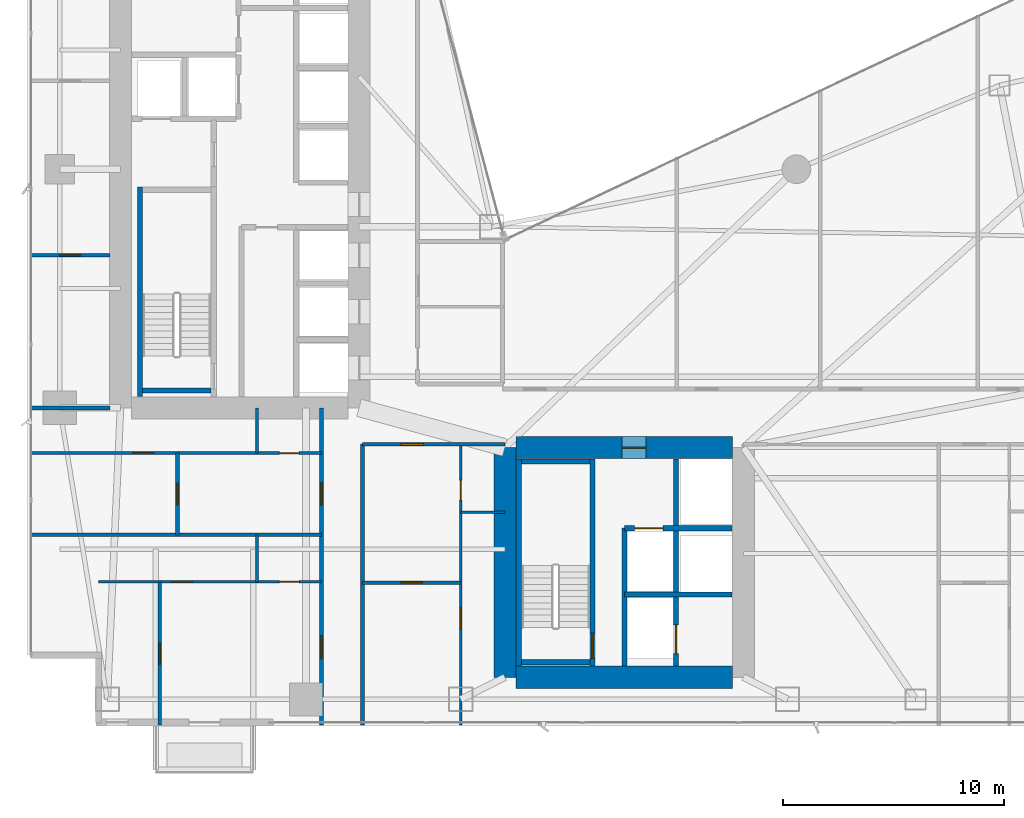
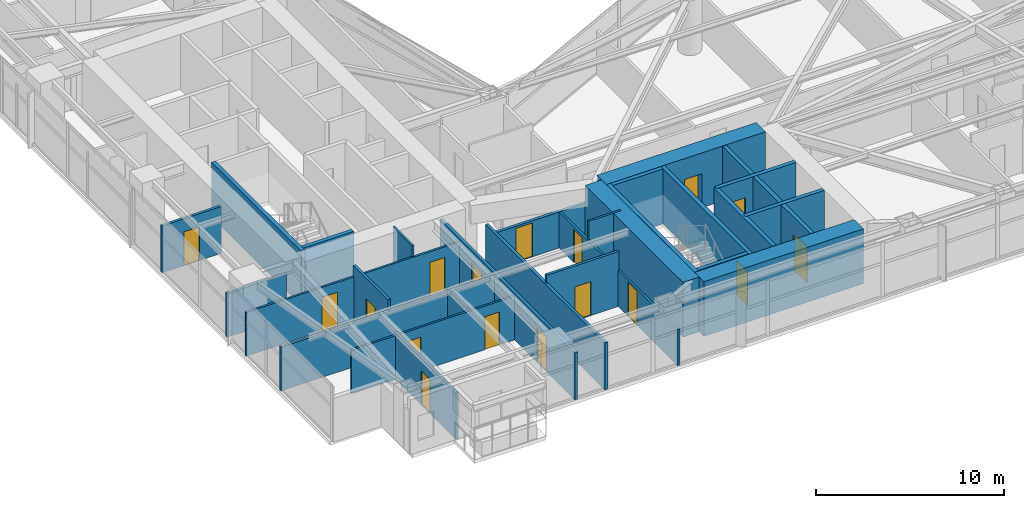
# One storey, part 22 of 29: 28 walls, 17 doors, 17 openings.
"""IFC4 building model written with IfcOpenShell, lengths in metres."""

from ifc_helpers import new_model, si_unit, direction, frame, frame_2d, origin, place, context, subcontext, project, spatial, rectangle, extrude, material, layer, layer_set, type_object, element, fill, save


model = new_model("IFC4")

# Units and contexts
model_context = context("Model", 3, precision=1e-05, world=origin(), true_north=direction((0.0, 1.0)))
body_context = subcontext(model_context, "Body", "Model", "MODEL_VIEW")
ifc_project = project(units=[si_unit("LENGTHUNIT", "METRE"), si_unit("AREAUNIT", "SQUARE_METRE"), si_unit("VOLUMEUNIT", "CUBIC_METRE"), si_unit("PLANEANGLEUNIT", "RADIAN"), si_unit("MASSUNIT", "GRAM", prefix="KILO")], contexts=[model_context])

# Site, building, storey
site_placement = place(None, origin())
site = spatial("IfcSite", under=ifc_project, at=site_placement, CompositionType="ELEMENT")
building_placement = place(site_placement, origin())
building = spatial("IfcBuilding", under=site, at=building_placement, Name="Calvorn Quay Hotel", CompositionType="ELEMENT")
storey_placement = place(building_placement, frame((0.0, 0.0, 81.199951171875)))
storey = spatial("IfcBuildingStorey", under=building, at=storey_placement, Name="L19", CompositionType="ELEMENT", Elevation=81.199951171875)

# Wall
ifc_material_1 = material(Name="Concrete C60", Category="concrete")
ifc_layer_1 = layer(ifc_material_1, 1.0)
ifc_layer_set_1 = layer_set([ifc_layer_1], Name="WL-CORE-1000")
wall_type_1 = type_object("IfcWallType", Name="WL-CORE-1000", PredefinedType="SHEAR", material=ifc_layer_set_1)
wall_1_placement = place(storey_placement, frame((21.60009765625, 4.60009765625, 0.0), z_axis=(0.0, 0.0, 1.0), x_axis=(0.0, 1.0, 0.0)))
element("IfcWall", 1, at=wall_1_placement, inside=storey, type_object=wall_type_1, Name="East Core Shear Wall W (L19)", PredefinedType="SHEAR", context=body_context, shape_type="SweptSolid", body=[
    extrude(rectangle(XDim=10.39990234375, YDim=1.0, at=frame_2d((5.199951171875, 0.0))), origin(), (0.0, 0.0, 1.0), 3.56005859375),
])

# Wall, opening, door
wall_2_placement = place(storey_placement, frame((22.10009765625, 15.0, 0.0), z_axis=(0.0, 0.0, 1.0), x_axis=(1.0, 0.0, 0.0)))
wall_2 = element("IfcWall", 2, at=wall_2_placement, inside=storey, type_object=wall_type_1, Name="East Core Shear Wall N (L19)", PredefinedType="SHEAR", context=body_context, shape_type="SweptSolid", body=[
    extrude(rectangle(XDim=9.7998046875, YDim=1.0, at=frame_2d((4.89990234375, 0.0))), origin(), (0.0, 0.0, 1.0), 3.56005859375),
])
opening_1_placement = place(wall_2_placement, frame((4.800048828125, 0.0, 0.0)))
opening_1 = element("IfcOpeningElement", 3, at=opening_1_placement, cuts=wall_2, Name="Opening D-L19-FLE", PredefinedType="OPENING", context=body_context, shape_type="SweptSolid", body=[
    extrude(rectangle(XDim=1.10009765625, YDim=2.199951171875, at=frame_2d((0.550048828125, 1.10009765625))), frame((0.0, 0.510009765625, 0.0), z_axis=(0.0, -1.0, 0.0), x_axis=(1.0, 0.0, 0.0)), (0.0, 0.0, 1.0), 1.02001953125),
])
ifc_material_2 = material(Name="Smoke-Sealed Steel Class A Fire Door", Category="steel")
door_type_1 = type_object("IfcDoorType", Name="DR-FFLOBBY-1100", OperationType="NOTDEFINED", PredefinedType="DOOR", material=ifc_material_2)
door_1_placement = place(opening_1_placement, origin())
door_1 = element("IfcDoor", 4, at=door_1_placement, inside=storey, type_object=door_type_1, Name="East Firefighting Lobby Fire Door (L19)", OperationType="SINGLE_SWING_LEFT", OverallHeight=2.199951171875, OverallWidth=1.10009765625, PredefinedType="DOOR", context=body_context, shape_type="SweptSolid", body=[
    extrude(rectangle(XDim=1.10009765625, YDim=2.199951171875, at=frame_2d((0.550048828125, 1.10009765625))), frame((0.0, 0.02490234375, 0.0), z_axis=(0.0, -1.0, 0.0), x_axis=(1.0, 0.0, 0.0)), (0.0, 0.0, 1.0), 0.050048828125),
])
fill(opening_1, door_1)

# Walls
wall_3_placement = place(storey_placement, frame((22.10009765625, 4.60009765625, 0.0), z_axis=(0.0, 0.0, 1.0), x_axis=(1.0, 0.0, 0.0)))
element("IfcWall", 5, at=wall_3_placement, inside=storey, type_object=wall_type_1, Name="East Core Shear Wall S (L19)", PredefinedType="SHEAR", context=body_context, shape_type="SweptSolid", body=[
    extrude(rectangle(XDim=9.7998046875, YDim=1.0, at=frame_2d((4.89990234375, 0.0))), origin(), (0.0, 0.0, 1.0), 3.56005859375),
])
ifc_material_3 = material(Name="Acoustic Fireboard Steel-Stud Partition", Category="steel")
ifc_layer_2 = layer(ifc_material_3, 0.179931640625)
ifc_layer_set_2 = layer_set([ifc_layer_2], Name="WL-CORR-FIRE-180")
wall_type_2 = type_object("IfcWallType", Name="WL-CORR-FIRE-180", PredefinedType="PARTITIONING", material=ifc_layer_set_2)
wall_4_placement = place(storey_placement, frame((0.080078125, 16.800048828125, 0.0), z_axis=(0.0, 0.0, 1.0), x_axis=(1.0, 0.0, 0.0)))
element("IfcWall", 6, at=wall_4_placement, inside=storey, type_object=wall_type_2, Name="Partition Wall L19-WL-WBAY-S-WALL", PredefinedType="PARTITIONING", context=body_context, shape_type="SweptSolid", body=[
    extrude(rectangle(XDim=3.64990234375, YDim=0.179931640625, at=frame_2d((1.824951171875, 0.0))), origin(), (0.0, 0.0, 1.0), 2.840087890625),
])

# Wall, openings, doors
wall_5_placement = place(storey_placement, frame((13.300048828125, 2.43994140625, 0.0), z_axis=(0.0, 0.0, 1.0), x_axis=(0.0, 1.0, 0.0)))
wall_5 = element("IfcWall", 7, at=wall_5_placement, inside=storey, type_object=wall_type_2, Name="Partition Wall L19-WL-CORR-SW-LEG-W", PredefinedType="PARTITIONING", context=body_context, shape_type="SweptSolid", body=[
    extrude(rectangle(XDim=14.360107421875, YDim=0.179931640625, at=frame_2d((7.18017578125, 0.0))), origin(), (0.0, 0.0, 1.0), 3.0400390625),
])
opening_2_placement = place(wall_5_placement, frame((3.010009765625, 0.0, 0.0)))
opening_2 = element("IfcOpeningElement", 8, at=opening_2_placement, cuts=wall_5, Name="Opening D-L19-U01", PredefinedType="OPENING", context=body_context, shape_type="SweptSolid", body=[
    extrude(rectangle(XDim=1.02001953125, YDim=2.199951171875, at=frame_2d((0.510009765625, 1.10009765625))), frame((0.0, 0.099853515625, 0.0), z_axis=(0.0, -1.0, 0.0), x_axis=(1.0, 0.0, 0.0)), (0.0, 0.0, 1.0), 0.199951171875),
])
opening_3_placement = place(wall_5_placement, frame((9.949951171875, 0.0, 0.0)))
opening_3 = element("IfcOpeningElement", 9, at=opening_3_placement, cuts=wall_5, Name="Opening D-L19-U02", PredefinedType="OPENING", context=body_context, shape_type="SweptSolid", body=[
    extrude(rectangle(XDim=1.02001953125, YDim=2.199951171875, at=frame_2d((0.510009765625, 1.10009765625))), frame((0.0, 0.099853515625, 0.0), z_axis=(0.0, -1.0, 0.0), x_axis=(1.0, 0.0, 0.0)), (0.0, 0.0, 1.0), 0.199951171875),
])
ifc_material_4 = material(Name="Solid-Core Walnut Veneer Hotel Fire Door")
door_type_2 = type_object("IfcDoorType", Name="DR-GUEST-ENTRY-1020", OperationType="NOTDEFINED", PredefinedType="DOOR", material=ifc_material_4)
door_2_placement = place(opening_2_placement, origin())
door_2 = element("IfcDoor", 10, at=door_2_placement, inside=storey, type_object=door_type_2, Name="South-West Unit Door U01 (L19)", OperationType="SINGLE_SWING_LEFT", OverallHeight=2.199951171875, OverallWidth=1.02001953125, PredefinedType="DOOR", context=body_context, shape_type="SweptSolid", body=[
    extrude(rectangle(XDim=1.02001953125, YDim=2.199951171875, at=frame_2d((0.510009765625, 1.10009765625))), frame((0.0, 0.02490234375, 0.0), z_axis=(0.0, -1.0, 0.0), x_axis=(1.0, 0.0, 0.0)), (0.0, 0.0, 1.0), 0.050048828125),
])
fill(opening_2, door_2)
door_3_placement = place(opening_3_placement, origin())
door_3 = element("IfcDoor", 11, at=door_3_placement, inside=storey, type_object=door_type_2, Name="South-West Unit Door U02 (L19)", OperationType="SINGLE_SWING_RIGHT", OverallHeight=2.199951171875, OverallWidth=1.02001953125, PredefinedType="DOOR", context=body_context, shape_type="SweptSolid", body=[
    extrude(rectangle(XDim=1.02001953125, YDim=2.199951171875, at=frame_2d((0.510009765625, 1.10009765625))), frame((0.0, 0.02490234375, 0.0), z_axis=(0.0, -1.0, 0.0), x_axis=(1.0, 0.0, 0.0)), (0.0, 0.0, 1.0), 0.050048828125),
])
fill(opening_3, door_3)

# Wall
wall_6_placement = place(storey_placement, frame((15.14990234375, 2.43994140625, 0.0), z_axis=(0.0, 0.0, 1.0), x_axis=(0.0, 1.0, 0.0)))
element("IfcWall", 12, at=wall_6_placement, inside=storey, type_object=wall_type_2, Name="Partition Wall L19-WL-CORR-SW-W", PredefinedType="PARTITIONING", context=body_context, shape_type="SweptSolid", body=[
    extrude(rectangle(XDim=12.7099609375, YDim=0.179931640625, at=frame_2d((6.35498046875, 0.0))), origin(), (0.0, 0.0, 1.0), 3.0400390625),
])

# Wall, opening, door
wall_7_placement = place(storey_placement, frame((15.14990234375, 15.14990234375, 0.0), z_axis=(0.0, 0.0, 1.0), x_axis=(1.0, 0.0, 0.0)))
wall_7 = element("IfcWall", 13, at=wall_7_placement, inside=storey, type_object=wall_type_2, Name="Partition Wall L19-WL-SC-CORR-S", PredefinedType="PARTITIONING", context=body_context, shape_type="SweptSolid", body=[
    extrude(rectangle(XDim=6.4501953125, YDim=0.179931640625, at=frame_2d((3.22509765625, 0.0))), origin(), (0.0, 0.0, 1.0), 2.340087890625),
])
opening_4_placement = place(wall_7_placement, frame((1.739990234375, 0.0, 0.0)))
opening_4 = element("IfcOpeningElement", 14, at=opening_4_placement, cuts=wall_7, Name="Opening D-L19-U03", PredefinedType="OPENING", context=body_context, shape_type="SweptSolid", body=[
    extrude(rectangle(XDim=1.02001953125, YDim=2.199951171875, at=frame_2d((0.510009765625, 1.10009765625))), frame((0.0, 0.099853515625, 0.0), z_axis=(0.0, -1.0, 0.0), x_axis=(1.0, 0.0, 0.0)), (0.0, 0.0, 1.0), 0.199951171875),
])
door_4_placement = place(opening_4_placement, origin())
door_4 = element("IfcDoor", 15, at=door_4_placement, inside=storey, type_object=door_type_2, Name="Harbour Central Unit Door (L19)", OperationType="SINGLE_SWING_LEFT", OverallHeight=2.199951171875, OverallWidth=1.02001953125, PredefinedType="DOOR", context=body_context, shape_type="SweptSolid", body=[
    extrude(rectangle(XDim=1.02001953125, YDim=2.199951171875, at=frame_2d((0.510009765625, 1.10009765625))), frame((0.0, 0.02490234375, 0.0), z_axis=(0.0, -1.0, 0.0), x_axis=(1.0, 0.0, 0.0)), (0.0, 0.0, 1.0), 0.050048828125),
])
fill(opening_4, door_4)

# Wall
ifc_material_5 = material(Name="Moisture-Resistant Tile-Backed Partition")
ifc_layer_3 = layer(ifc_material_5, 0.125)
ifc_layer_set_3 = layer_set([ifc_layer_3], Name="WL-ENSUITE-125")
wall_type_3 = type_object("IfcWallType", Name="WL-ENSUITE-125", PredefinedType="PARTITIONING", material=ifc_layer_set_3)
wall_8_placement = place(storey_placement, frame((10.3798828125, 8.919921875, 0.0), z_axis=(0.0, 0.0, 1.0), x_axis=(0.0, 1.0, 0.0)))
element("IfcWall", 16, at=wall_8_placement, inside=storey, type_object=wall_type_3, Name="Partition Wall L19-WL-U01-BDV", PredefinedType="PARTITIONING", context=body_context, shape_type="SweptSolid", body=[
    extrude(rectangle(XDim=2.130126953125, YDim=0.125, at=frame_2d((1.06494140625, 0.0))), origin(), (0.0, 0.0, 1.0), 3.090087890625),
])

# Wall, openings, doors
wall_9_placement = place(storey_placement, frame((3.199951171875, 8.919921875, 0.0), z_axis=(0.0, 0.0, 1.0), x_axis=(1.0, 0.0, 0.0)))
wall_9 = element("IfcWall", 17, at=wall_9_placement, inside=storey, type_object=wall_type_3, Name="Partition Wall L19-WL-U01-BH", PredefinedType="PARTITIONING", context=body_context, shape_type="SweptSolid", body=[
    extrude(rectangle(XDim=10.10009765625, YDim=0.125, at=frame_2d((5.050048828125, 0.0))), origin(), (0.0, 0.0, 1.0), 2.840087890625),
])
opening_5_placement = place(wall_9_placement, frame((3.2900390625, 0.0, 0.0)))
opening_5 = element("IfcOpeningElement", 18, at=opening_5_placement, cuts=wall_9, Name="Opening D-L19-S01", PredefinedType="OPENING", context=body_context, shape_type="SweptSolid", body=[
    extrude(rectangle(XDim=0.9599609375, YDim=2.199951171875, at=frame_2d((0.47998046875, 1.10009765625))), frame((0.0, 0.072509765625, 0.0), z_axis=(0.0, -1.0, 0.0), x_axis=(1.0, 0.0, 0.0)), (0.0, 0.0, 1.0), 0.14501953125),
])
opening_6_placement = place(wall_9_placement, frame((8.18994140625, 0.0, 0.0)))
opening_6 = element("IfcOpeningElement", 19, at=opening_6_placement, cuts=wall_9, Name="Opening D-L19-E01", PredefinedType="OPENING", context=body_context, shape_type="SweptSolid", body=[
    extrude(rectangle(XDim=0.89990234375, YDim=2.14990234375, at=frame_2d((0.449951171875, 1.074951171875))), frame((0.0, 0.072509765625, 0.0), z_axis=(0.0, -1.0, 0.0), x_axis=(1.0, 0.0, 0.0)), (0.0, 0.0, 1.0), 0.14501953125),
])
ifc_material_6 = material(Name="Moisture-Sealed Timber En-Suite Door", Category="wood")
door_type_3 = type_object("IfcDoorType", Name="DR-ENSUITE-900", OperationType="NOTDEFINED", PredefinedType="DOOR", material=ifc_material_6)
door_5_placement = place(opening_6_placement, origin())
door_5 = element("IfcDoor", 20, at=door_5_placement, inside=storey, type_object=door_type_3, Name="En-Suite Door 01", OperationType="SINGLE_SWING_RIGHT", OverallHeight=2.14990234375, OverallWidth=0.89990234375, PredefinedType="DOOR", context=body_context, shape_type="SweptSolid", body=[
    extrude(rectangle(XDim=0.89990234375, YDim=2.14990234375, at=frame_2d((0.449951171875, 1.074951171875))), frame((0.0, 0.02490234375, 0.0), z_axis=(0.0, -1.0, 0.0), x_axis=(1.0, 0.0, 0.0)), (0.0, 0.0, 1.0), 0.050048828125),
])
fill(opening_6, door_5)
ifc_material_7 = material(Name="Solid Timber Internal Suite Door", Category="wood")
door_type_4 = type_object("IfcDoorType", Name="DR-SUITE-INT-960", OperationType="NOTDEFINED", PredefinedType="DOOR", material=ifc_material_7)
door_6_placement = place(opening_5_placement, origin())
door_6 = element("IfcDoor", 21, at=door_6_placement, inside=storey, type_object=door_type_4, Name="Private Media Cinema Door 01", OperationType="SINGLE_SWING_LEFT", OverallHeight=2.199951171875, OverallWidth=0.9599609375, PredefinedType="DOOR", context=body_context, shape_type="SweptSolid", body=[
    extrude(rectangle(XDim=0.9599609375, YDim=2.199951171875, at=frame_2d((0.47998046875, 1.10009765625))), frame((0.0, 0.02490234375, 0.0), z_axis=(0.0, -1.0, 0.0), x_axis=(1.0, 0.0, 0.0)), (0.0, 0.0, 1.0), 0.050048828125),
])
fill(opening_5, door_6)

# Wall
wall_10_placement = place(storey_placement, frame((10.3798828125, 14.75, 0.0), z_axis=(0.0, 0.0, 1.0), x_axis=(0.0, 1.0, 0.0)))
element("IfcWall", 22, at=wall_10_placement, inside=storey, type_object=wall_type_3, Name="Partition Wall L19-WL-U02-BDV", PredefinedType="PARTITIONING", context=body_context, shape_type="SweptSolid", body=[
    extrude(rectangle(XDim=2.050048828125, YDim=0.125, at=frame_2d((1.02490234375, 0.0))), origin(), (0.0, 0.0, 1.0), 3.56005859375),
])

# Wall, openings, doors
wall_11_placement = place(storey_placement, frame((0.080078125, 14.75, 0.0), z_axis=(0.0, 0.0, 1.0), x_axis=(1.0, 0.0, 0.0)))
wall_11 = element("IfcWall", 23, at=wall_11_placement, inside=storey, type_object=wall_type_3, Name="Partition Wall L19-WL-U02-BH", PredefinedType="PARTITIONING", context=body_context, shape_type="SweptSolid", body=[
    extrude(rectangle(XDim=13.219970703125, YDim=0.125, at=frame_2d((6.60986328125, 0.0))), origin(), (0.0, 0.0, 1.0), 2.840087890625),
])
opening_7_placement = place(wall_11_placement, frame((4.669921875, 0.0, 0.0)))
opening_7 = element("IfcOpeningElement", 24, at=opening_7_placement, cuts=wall_11, Name="Opening D-L19-S02", PredefinedType="OPENING", context=body_context, shape_type="SweptSolid", body=[
    extrude(rectangle(XDim=0.9599609375, YDim=2.199951171875, at=frame_2d((0.47998046875, 1.10009765625))), frame((0.0, 0.072509765625, 0.0), z_axis=(0.0, -1.0, 0.0), x_axis=(1.0, 0.0, 0.0)), (0.0, 0.0, 1.0), 0.14501953125),
])
opening_8_placement = place(wall_11_placement, frame((11.31005859375, 0.0, 0.0)))
opening_8 = element("IfcOpeningElement", 25, at=opening_8_placement, cuts=wall_11, Name="Opening D-L19-E02", PredefinedType="OPENING", context=body_context, shape_type="SweptSolid", body=[
    extrude(rectangle(XDim=0.89990234375, YDim=2.14990234375, at=frame_2d((0.449951171875, 1.074951171875))), frame((0.0, 0.072509765625, 0.0), z_axis=(0.0, -1.0, 0.0), x_axis=(1.0, 0.0, 0.0)), (0.0, 0.0, 1.0), 0.14501953125),
])
door_7_placement = place(opening_8_placement, origin())
door_7 = element("IfcDoor", 26, at=door_7_placement, inside=storey, type_object=door_type_3, Name="En-Suite Door 02", OperationType="SINGLE_SWING_RIGHT", OverallHeight=2.14990234375, OverallWidth=0.89990234375, PredefinedType="DOOR", context=body_context, shape_type="SweptSolid", body=[
    extrude(rectangle(XDim=0.89990234375, YDim=2.14990234375, at=frame_2d((0.449951171875, 1.074951171875))), frame((0.0, 0.02490234375, 0.0), z_axis=(0.0, -1.0, 0.0), x_axis=(1.0, 0.0, 0.0)), (0.0, 0.0, 1.0), 0.050048828125),
])
fill(opening_8, door_7)
door_8_placement = place(opening_7_placement, origin())
door_8 = element("IfcDoor", 27, at=door_8_placement, inside=storey, type_object=door_type_4, Name="Private Media Cinema Door 02", OperationType="SINGLE_SWING_LEFT", OverallHeight=2.199951171875, OverallWidth=0.9599609375, PredefinedType="DOOR", context=body_context, shape_type="SweptSolid", body=[
    extrude(rectangle(XDim=0.9599609375, YDim=2.199951171875, at=frame_2d((0.47998046875, 1.10009765625))), frame((0.0, 0.02490234375, 0.0), z_axis=(0.0, -1.0, 0.0), x_axis=(1.0, 0.0, 0.0)), (0.0, 0.0, 1.0), 0.050048828125),
])
fill(opening_7, door_8)

# Wall
wall_12_placement = place(storey_placement, frame((19.60009765625, 12.070068359375, 0.0), z_axis=(0.0, 0.0, 1.0), x_axis=(1.0, 0.0, 0.0)))
element("IfcWall", 28, at=wall_12_placement, inside=storey, type_object=wall_type_3, Name="Partition Wall L19-WL-U03-BDV", PredefinedType="PARTITIONING", context=body_context, shape_type="SweptSolid", body=[
    extrude(rectangle(XDim=2.0, YDim=0.125, at=frame_2d((1.0, 0.0))), origin(), (0.0, 0.0, 1.0), 3.56005859375),
])

# Wall, openings, doors
wall_13_placement = place(storey_placement, frame((19.60009765625, 2.43994140625, 0.0), z_axis=(0.0, 0.0, 1.0), x_axis=(0.0, 1.0, 0.0)))
wall_13 = element("IfcWall", 29, at=wall_13_placement, inside=storey, type_object=wall_type_3, Name="Partition Wall L19-WL-U03-BV", PredefinedType="PARTITIONING", context=body_context, shape_type="SweptSolid", body=[
    extrude(rectangle(XDim=12.7099609375, YDim=0.125, at=frame_2d((6.35498046875, 0.0))), origin(), (0.0, 0.0, 1.0), 2.340087890625),
])
opening_9_placement = place(wall_13_placement, frame((4.340087890625, 0.0, 0.0)))
opening_9 = element("IfcOpeningElement", 30, at=opening_9_placement, cuts=wall_13, Name="Opening D-L19-S03", PredefinedType="OPENING", context=body_context, shape_type="SweptSolid", body=[
    extrude(rectangle(XDim=0.9599609375, YDim=2.199951171875, at=frame_2d((0.47998046875, 1.10009765625))), frame((0.0, 0.072509765625, 0.0), z_axis=(0.0, -1.0, 0.0), x_axis=(1.0, 0.0, 0.0)), (0.0, 0.0, 1.0), 0.14501953125),
])
opening_10_placement = place(wall_13_placement, frame((10.179931640625, 0.0, 0.0)))
opening_10 = element("IfcOpeningElement", 31, at=opening_10_placement, cuts=wall_13, Name="Opening D-L19-E03", PredefinedType="OPENING", context=body_context, shape_type="SweptSolid", body=[
    extrude(rectangle(XDim=0.89990234375, YDim=2.14990234375, at=frame_2d((0.449951171875, 1.074951171875))), frame((0.0, 0.072509765625, 0.0), z_axis=(0.0, -1.0, 0.0), x_axis=(1.0, 0.0, 0.0)), (0.0, 0.0, 1.0), 0.14501953125),
])
door_9_placement = place(opening_10_placement, origin())
door_9 = element("IfcDoor", 32, at=door_9_placement, inside=storey, type_object=door_type_3, Name="En-Suite Door 03", OperationType="SINGLE_SWING_RIGHT", OverallHeight=2.14990234375, OverallWidth=0.89990234375, PredefinedType="DOOR", context=body_context, shape_type="SweptSolid", body=[
    extrude(rectangle(XDim=0.89990234375, YDim=2.14990234375, at=frame_2d((0.449951171875, 1.074951171875))), frame((0.0, 0.02490234375, 0.0), z_axis=(0.0, -1.0, 0.0), x_axis=(1.0, 0.0, 0.0)), (0.0, 0.0, 1.0), 0.050048828125),
])
fill(opening_10, door_9)
door_10_placement = place(opening_9_placement, origin())
door_10 = element("IfcDoor", 33, at=door_10_placement, inside=storey, type_object=door_type_4, Name="Private Media Cinema Door 03", OperationType="SINGLE_SWING_LEFT", OverallHeight=2.199951171875, OverallWidth=0.9599609375, PredefinedType="DOOR", context=body_context, shape_type="SweptSolid", body=[
    extrude(rectangle(XDim=0.9599609375, YDim=2.199951171875, at=frame_2d((0.47998046875, 1.10009765625))), frame((0.0, 0.02490234375, 0.0), z_axis=(0.0, -1.0, 0.0), x_axis=(1.0, 0.0, 0.0)), (0.0, 0.0, 1.0), 0.050048828125),
])
fill(opening_9, door_10)

# Wall, opening, door
ifc_material_8 = material(Name="Double-Stud Acoustic Gypsum Partition")
ifc_layer_4 = layer(ifc_material_8, 0.159912109375)
ifc_layer_set_4 = layer_set([ifc_layer_4], Name="WL-INTERSUITE-160")
wall_type_4 = type_object("IfcWallType", Name="WL-INTERSUITE-160", PredefinedType="PARTITIONING", material=ifc_layer_set_4)
wall_14_placement = place(storey_placement, frame((0.080078125, 23.699951171875, 0.0), z_axis=(0.0, 0.0, 1.0), x_axis=(1.0, 0.0, 0.0)))
wall_14 = element("IfcWall", 34, at=wall_14_placement, inside=storey, type_object=wall_type_4, Name="Partition Wall L19-WL-WBAY-DIVA", PredefinedType="PARTITIONING", context=body_context, shape_type="SweptSolid", body=[
    extrude(rectangle(XDim=3.64990234375, YDim=0.159912109375, at=frame_2d((1.824951171875, 0.0))), origin(), (0.0, 0.0, 1.0), 3.0400390625),
])
opening_11_placement = place(wall_14_placement, frame((1.35009765625, 0.0, 0.0)))
opening_11 = element("IfcOpeningElement", 35, at=opening_11_placement, cuts=wall_14, Name="Opening D-L19-WBA", PredefinedType="OPENING", context=body_context, shape_type="SweptSolid", body=[
    extrude(rectangle(XDim=0.9599609375, YDim=2.199951171875, at=frame_2d((0.47998046875, 1.10009765625))), frame((0.0, 0.08984375, 0.0), z_axis=(0.0, -1.0, 0.0), x_axis=(1.0, 0.0, 0.0)), (0.0, 0.0, 1.0), 0.179931640625),
])
door_11_placement = place(opening_11_placement, origin())
door_11 = element("IfcDoor", 36, at=door_11_placement, inside=storey, type_object=door_type_4, Name="West South Connecting Door (L19)", OperationType="SINGLE_SWING_LEFT", OverallHeight=2.199951171875, OverallWidth=0.9599609375, PredefinedType="DOOR", context=body_context, shape_type="SweptSolid", body=[
    extrude(rectangle(XDim=0.9599609375, YDim=2.199951171875, at=frame_2d((0.47998046875, 1.10009765625))), frame((0.0, 0.02490234375, 0.0), z_axis=(0.0, -1.0, 0.0), x_axis=(1.0, 0.0, 0.0)), (0.0, 0.0, 1.0), 0.050048828125),
])
fill(opening_11, door_11)

wall_15_placement = place(storey_placement, frame((5.97998046875, 2.43994140625, 0.0), z_axis=(0.0, 0.0, 1.0), x_axis=(0.0, 1.0, 0.0)))
wall_15 = element("IfcWall", 37, at=wall_15_placement, inside=storey, type_object=wall_type_4, Name="Partition Wall L19-WL-U01-MSP", PredefinedType="PARTITIONING", context=body_context, shape_type="SweptSolid", body=[
    extrude(rectangle(XDim=6.47998046875, YDim=0.159912109375, at=frame_2d((3.239990234375, 0.0))), origin(), (0.0, 0.0, 1.0), 3.0400390625),
])
opening_12_placement = place(wall_15_placement, frame((2.760009765625, 0.0, 0.0)))
opening_12 = element("IfcOpeningElement", 38, at=opening_12_placement, cuts=wall_15, Name="Opening D-L19-M01", PredefinedType="OPENING", context=body_context, shape_type="SweptSolid", body=[
    extrude(rectangle(XDim=0.9599609375, YDim=2.199951171875, at=frame_2d((0.47998046875, 1.10009765625))), frame((0.0, 0.08984375, 0.0), z_axis=(0.0, -1.0, 0.0), x_axis=(1.0, 0.0, 0.0)), (0.0, 0.0, 1.0), 0.179931640625),
])
door_12_placement = place(opening_12_placement, origin())
door_12 = element("IfcDoor", 39, at=door_12_placement, inside=storey, type_object=door_type_4, Name="Suite Bedroom Door 01", OperationType="SINGLE_SWING_LEFT", OverallHeight=2.199951171875, OverallWidth=0.9599609375, PredefinedType="DOOR", context=body_context, shape_type="SweptSolid", body=[
    extrude(rectangle(XDim=0.9599609375, YDim=2.199951171875, at=frame_2d((0.47998046875, 1.10009765625))), frame((0.0, 0.02490234375, 0.0), z_axis=(0.0, -1.0, 0.0), x_axis=(1.0, 0.0, 0.0)), (0.0, 0.0, 1.0), 0.050048828125),
])
fill(opening_12, door_12)

wall_16_placement = place(storey_placement, frame((6.780029296875, 11.050048828125, 0.0), z_axis=(0.0, 0.0, 1.0), x_axis=(0.0, 1.0, 0.0)))
wall_16 = element("IfcWall", 40, at=wall_16_placement, inside=storey, type_object=wall_type_4, Name="Partition Wall L19-WL-U02-MSP", PredefinedType="PARTITIONING", context=body_context, shape_type="SweptSolid", body=[
    extrude(rectangle(XDim=3.699951171875, YDim=0.159912109375, at=frame_2d((1.85009765625, 0.0))), origin(), (0.0, 0.0, 1.0), 3.56005859375),
])
opening_13_placement = place(wall_16_placement, frame((1.3701171875, 0.0, 0.0)))
opening_13 = element("IfcOpeningElement", 41, at=opening_13_placement, cuts=wall_16, Name="Opening D-L19-M02", PredefinedType="OPENING", context=body_context, shape_type="SweptSolid", body=[
    extrude(rectangle(XDim=0.9599609375, YDim=2.199951171875, at=frame_2d((0.47998046875, 1.10009765625))), frame((0.0, 0.08984375, 0.0), z_axis=(0.0, -1.0, 0.0), x_axis=(1.0, 0.0, 0.0)), (0.0, 0.0, 1.0), 0.179931640625),
])
door_13_placement = place(opening_13_placement, origin())
door_13 = element("IfcDoor", 42, at=door_13_placement, inside=storey, type_object=door_type_4, Name="Suite Bedroom Door 02", OperationType="SINGLE_SWING_LEFT", OverallHeight=2.199951171875, OverallWidth=0.9599609375, PredefinedType="DOOR", context=body_context, shape_type="SweptSolid", body=[
    extrude(rectangle(XDim=0.9599609375, YDim=2.199951171875, at=frame_2d((0.47998046875, 1.10009765625))), frame((0.0, 0.02490234375, 0.0), z_axis=(0.0, -1.0, 0.0), x_axis=(1.0, 0.0, 0.0)), (0.0, 0.0, 1.0), 0.050048828125),
])
fill(opening_13, door_13)

# Wall
wall_17_placement = place(storey_placement, frame((0.080078125, 11.050048828125, 0.0), z_axis=(0.0, 0.0, 1.0), x_axis=(1.0, 0.0, 0.0)))
element("IfcWall", 43, at=wall_17_placement, inside=storey, type_object=wall_type_4, Name="Partition Wall L19-WL-SW-DIV-1", PredefinedType="PARTITIONING", context=body_context, shape_type="SweptSolid", body=[
    extrude(rectangle(XDim=13.219970703125, YDim=0.159912109375, at=frame_2d((6.60986328125, 0.0))), origin(), (0.0, 0.0, 1.0), 2.840087890625),
])

# Wall, opening, door
wall_18_placement = place(storey_placement, frame((15.14990234375, 8.8701171875, 0.0), z_axis=(0.0, 0.0, 1.0), x_axis=(1.0, 0.0, 0.0)))
wall_18 = element("IfcWall", 44, at=wall_18_placement, inside=storey, type_object=wall_type_4, Name="Partition Wall L19-WL-U03-MSP", PredefinedType="PARTITIONING", context=body_context, shape_type="SweptSolid", body=[
    extrude(rectangle(XDim=4.4501953125, YDim=0.159912109375, at=frame_2d((2.22509765625, 0.0))), origin(), (0.0, 0.0, 1.0), 3.56005859375),
])
opening_14_placement = place(wall_18_placement, frame((1.75, 0.0, 0.0)))
opening_14 = element("IfcOpeningElement", 45, at=opening_14_placement, cuts=wall_18, Name="Opening D-L19-M03", PredefinedType="OPENING", context=body_context, shape_type="SweptSolid", body=[
    extrude(rectangle(XDim=0.9599609375, YDim=2.199951171875, at=frame_2d((0.47998046875, 1.10009765625))), frame((0.0, 0.08984375, 0.0), z_axis=(0.0, -1.0, 0.0), x_axis=(1.0, 0.0, 0.0)), (0.0, 0.0, 1.0), 0.179931640625),
])
door_14_placement = place(opening_14_placement, origin())
door_14 = element("IfcDoor", 46, at=door_14_placement, inside=storey, type_object=door_type_4, Name="Suite Bedroom Door 03", OperationType="SINGLE_SWING_LEFT", OverallHeight=2.199951171875, OverallWidth=0.9599609375, PredefinedType="DOOR", context=body_context, shape_type="SweptSolid", body=[
    extrude(rectangle(XDim=0.9599609375, YDim=2.199951171875, at=frame_2d((0.47998046875, 1.10009765625))), frame((0.0, 0.02490234375, 0.0), z_axis=(0.0, -1.0, 0.0), x_axis=(1.0, 0.0, 0.0)), (0.0, 0.0, 1.0), 0.050048828125),
])
fill(opening_14, door_14)

# Walls
ifc_material_9 = material(Name="Concrete C40", Category="concrete")
ifc_layer_5 = layer(ifc_material_9, 0.239990234375)
ifc_layer_set_5 = layer_set([ifc_layer_5], Name="WL-SHAFT-240")
wall_type_5 = type_object("IfcWallType", Name="WL-SHAFT-240", PredefinedType="SOLIDWALL", material=ifc_layer_set_5)
wall_19_placement = place(storey_placement, frame((5.080078125, 17.300048828125, 0.0), z_axis=(0.0, 0.0, 1.0), x_axis=(0.0, 1.0, 0.0)))
element("IfcWall", 47, at=wall_19_placement, inside=storey, type_object=wall_type_5, Name="Stair STW Shaft Wall W (L19)", PredefinedType="SOLIDWALL", context=body_context, shape_type="SweptSolid", body=[
    extrude(rectangle(XDim=9.489990234375, YDim=0.239990234375, at=frame_2d((4.7451171875, 0.0))), origin(), (0.0, 0.0, 1.0), 3.56005859375),
])
wall_20_placement = place(storey_placement, frame((5.199951171875, 17.580078125, 0.0), z_axis=(0.0, 0.0, 1.0), x_axis=(1.0, 0.0, 0.0)))
element("IfcWall", 48, at=wall_20_placement, inside=storey, type_object=wall_type_5, Name="Stair STW Shaft Wall S (L19)", PredefinedType="SOLIDWALL", context=body_context, shape_type="SweptSolid", body=[
    extrude(rectangle(XDim=3.10009765625, YDim=0.239990234375, at=frame_2d((1.550048828125, 0.0))), origin(), (0.0, 0.0, 1.0), 3.56005859375),
])
wall_21_placement = place(storey_placement, frame((22.22998046875, 5.10009765625, 0.0), z_axis=(0.0, 0.0, 1.0), x_axis=(0.0, 1.0, 0.0)))
element("IfcWall", 49, at=wall_21_placement, inside=storey, type_object=wall_type_5, Name="Stair STE Shaft Wall W (L19)", PredefinedType="SOLIDWALL", context=body_context, shape_type="SweptSolid", body=[
    extrude(rectangle(XDim=9.389892578125, YDim=0.239990234375, at=frame_2d((4.69482421875, 0.0))), origin(), (0.0, 0.0, 1.0), 3.56005859375),
])

# Wall, opening, door
wall_22_placement = place(storey_placement, frame((25.570068359375, 5.10009765625, 0.0), z_axis=(0.0, 0.0, 1.0), x_axis=(0.0, 1.0, 0.0)))
wall_22 = element("IfcWall", 50, at=wall_22_placement, inside=storey, type_object=wall_type_5, Name="Stair STE Shaft Wall E (L19)", PredefinedType="SOLIDWALL", context=body_context, shape_type="SweptSolid", body=[
    extrude(rectangle(XDim=9.389892578125, YDim=0.239990234375, at=frame_2d((4.69482421875, 0.0))), origin(), (0.0, 0.0, 1.0), 3.56005859375),
])
opening_15_placement = place(wall_22_placement, frame((0.35009765625, 0.0, 0.0)))
opening_15 = element("IfcOpeningElement", 51, at=opening_15_placement, cuts=wall_22, Name="Opening D-L19-STE", PredefinedType="OPENING", context=body_context, shape_type="SweptSolid", body=[
    extrude(rectangle(XDim=1.14990234375, YDim=2.199951171875, at=frame_2d((0.574951171875, 1.10009765625))), frame((0.0, 0.1298828125, 0.0), z_axis=(0.0, -1.0, 0.0), x_axis=(1.0, 0.0, 0.0)), (0.0, 0.0, 1.0), 0.260009765625),
])
ifc_material_10 = material(Name="Galvanised Steel Class A Fire Door", Category="steel")
door_type_5 = type_object("IfcDoorType", Name="DR-STAIR-SMOKE-1150", OperationType="NOTDEFINED", PredefinedType="DOOR", material=ifc_material_10)
door_15_placement = place(opening_15_placement, origin())
door_15 = element("IfcDoor", 52, at=door_15_placement, inside=storey, type_object=door_type_5, Name="Stair ST-E Fire Door (L19)", OperationType="SINGLE_SWING_RIGHT", OverallHeight=2.199951171875, OverallWidth=1.14990234375, PredefinedType="DOOR", context=body_context, shape_type="SweptSolid", body=[
    extrude(rectangle(XDim=1.14990234375, YDim=2.199951171875, at=frame_2d((0.574951171875, 1.10009765625))), frame((0.0, 0.02490234375, 0.0), z_axis=(0.0, -1.0, 0.0), x_axis=(1.0, 0.0, 0.0)), (0.0, 0.0, 1.0), 0.050048828125),
])
fill(opening_15, door_15)

# Walls
for number, where, z_axis, x_axis, name in (
    (53, (22.35009765625, 5.280029296875, 0.0), (0.0, 0.0, 1.0), (1.0, 0.0, 0.0), "Stair STE Shaft Wall S (L19)"),
    (54, (22.35009765625, 14.3701171875, 0.0), (0.0, 0.0, 1.0), (1.0, 0.0, 0.0), "Stair STE Shaft Wall N (L19)"),
):
    element("IfcWall", number, at=place(storey_placement, frame(where, z_axis=z_axis, x_axis=x_axis)), inside=storey, type_object=wall_type_5, Name=name, PredefinedType="SOLIDWALL", context=body_context, shape_type="SweptSolid", body=[
        extrude(rectangle(XDim=3.099853515625, YDim=0.239990234375, at=frame_2d((1.5498046875, 0.0))), origin(), (0.0, 0.0, 1.0), 3.56005859375),
    ])
wall_23_placement = place(storey_placement, frame((27.02001953125, 5.1201171875, 0.0), z_axis=(0.0, 0.0, 1.0), x_axis=(0.0, 1.0, 0.0)))
element("IfcWall", 55, at=wall_23_placement, inside=storey, type_object=wall_type_5, Name="Partition Wall L19-WL-CWE-SH-W", PredefinedType="SOLIDWALL", context=body_context, shape_type="SweptSolid", body=[
    extrude(rectangle(XDim=6.22998046875, YDim=0.239990234375, at=frame_2d((3.114990234375, 0.0))), origin(), (0.0, 0.0, 1.0), 3.56005859375),
])

# Wall, opening, door
wall_24_placement = place(storey_placement, frame((27.02001953125, 11.35009765625, 0.0), z_axis=(0.0, 0.0, 1.0), x_axis=(1.0, 0.0, 0.0)))
wall_24 = element("IfcWall", 56, at=wall_24_placement, inside=storey, type_object=wall_type_5, Name="Partition Wall L19-WL-CWE-FFL-S", PredefinedType="SOLIDWALL", context=body_context, shape_type="SweptSolid", body=[
    extrude(rectangle(XDim=4.85986328125, YDim=0.239990234375, at=frame_2d((2.429931640625, 0.0))), origin(), (0.0, 0.0, 1.0), 3.56005859375),
])
opening_16_placement = place(wall_24_placement, frame((0.449951171875, 0.0, 0.0)))
opening_16 = element("IfcOpeningElement", 57, at=opening_16_placement, cuts=wall_24, Name="Opening LD-L19-FLE1", PredefinedType="OPENING", context=body_context, shape_type="SweptSolid", body=[
    extrude(rectangle(XDim=1.300048828125, YDim=2.35009765625, at=frame_2d((0.64990234375, 1.175048828125))), frame((0.0, 0.1298828125, 0.0), z_axis=(0.0, -1.0, 0.0), x_axis=(1.0, 0.0, 0.0)), (0.0, 0.0, 1.0), 0.260009765625),
])
ifc_material_11 = material(Name="Champagne-Bronze Sliding Express Lift Landing Door")
door_type_6 = type_object("IfcDoorType", Name="DR-LIFT-SHUTTLE-1300", OperationType="NOTDEFINED", PredefinedType="DOOR", material=ifc_material_11)
door_16_placement = place(opening_16_placement, origin())
door_16 = element("IfcDoor", 58, at=door_16_placement, inside=storey, type_object=door_type_6, Name="Firefighting Lift FL-E1 Landing Door (L19)", OperationType="DOUBLE_DOOR_SLIDING", OverallHeight=2.35009765625, OverallWidth=1.300048828125, PredefinedType="DOOR", context=body_context, shape_type="SweptSolid", body=[
    extrude(rectangle(XDim=1.300048828125, YDim=2.35009765625, at=frame_2d((0.64990234375, 1.175048828125))), frame((0.0, 0.02490234375, 0.0), z_axis=(0.0, -1.0, 0.0), x_axis=(1.0, 0.0, 0.0)), (0.0, 0.0, 1.0), 0.050048828125),
])
fill(opening_16, door_16)

# Wall
wall_25_placement = place(storey_placement, frame((27.02001953125, 8.35009765625, 0.0), z_axis=(0.0, 0.0, 1.0), x_axis=(1.0, 0.0, 0.0)))
element("IfcWall", 59, at=wall_25_placement, inside=storey, type_object=wall_type_5, Name="Partition Wall L19-WL-CWE-SL-N", PredefinedType="SOLIDWALL", context=body_context, shape_type="SweptSolid", body=[
    extrude(rectangle(XDim=4.85986328125, YDim=0.239990234375, at=frame_2d((2.429931640625, 0.0))), origin(), (0.0, 0.0, 1.0), 3.56005859375),
])

# Wall, opening, door
wall_26_placement = place(storey_placement, frame((29.35009765625, 5.1201171875, 0.0), z_axis=(0.0, 0.0, 1.0), x_axis=(0.0, 1.0, 0.0)))
wall_26 = element("IfcWall", 60, at=wall_26_placement, inside=storey, type_object=wall_type_5, Name="Partition Wall L19-WL-CWE-OB-W", PredefinedType="SOLIDWALL", context=body_context, shape_type="SweptSolid", body=[
    extrude(rectangle(XDim=9.35986328125, YDim=0.239990234375, at=frame_2d((4.679931640625, 0.0))), origin(), (0.0, 0.0, 1.0), 3.56005859375),
])
opening_17_placement = place(wall_26_placement, frame((0.550048828125, 0.0, 0.0)))
opening_17 = element("IfcOpeningElement", 61, at=opening_17_placement, cuts=wall_26, Name="Opening LD-L19-SLEI", PredefinedType="OPENING", context=body_context, shape_type="SweptSolid", body=[
    extrude(rectangle(XDim=1.300048828125, YDim=2.35009765625, at=frame_2d((0.64990234375, 1.175048828125))), frame((0.0, 0.1298828125, 0.0), z_axis=(0.0, -1.0, 0.0), x_axis=(1.0, 0.0, 0.0)), (0.0, 0.0, 1.0), 0.260009765625),
])
door_17_placement = place(opening_17_placement, origin())
door_17 = element("IfcDoor", 62, at=door_17_placement, inside=storey, type_object=door_type_6, Name="Service Lift SL-E1 Landing Door (L19)", OperationType="DOUBLE_DOOR_SLIDING", OverallHeight=2.35009765625, OverallWidth=1.300048828125, PredefinedType="DOOR", context=body_context, shape_type="SweptSolid", body=[
    extrude(rectangle(XDim=1.300048828125, YDim=2.35009765625, at=frame_2d((0.64990234375, 1.175048828125))), frame((0.0, 0.02490234375, 0.0), z_axis=(0.0, -1.0, 0.0), x_axis=(1.0, 0.0, 0.0)), (0.0, 0.0, 1.0), 0.050048828125),
])
fill(opening_17, door_17)

save(model, "model.ifc")
